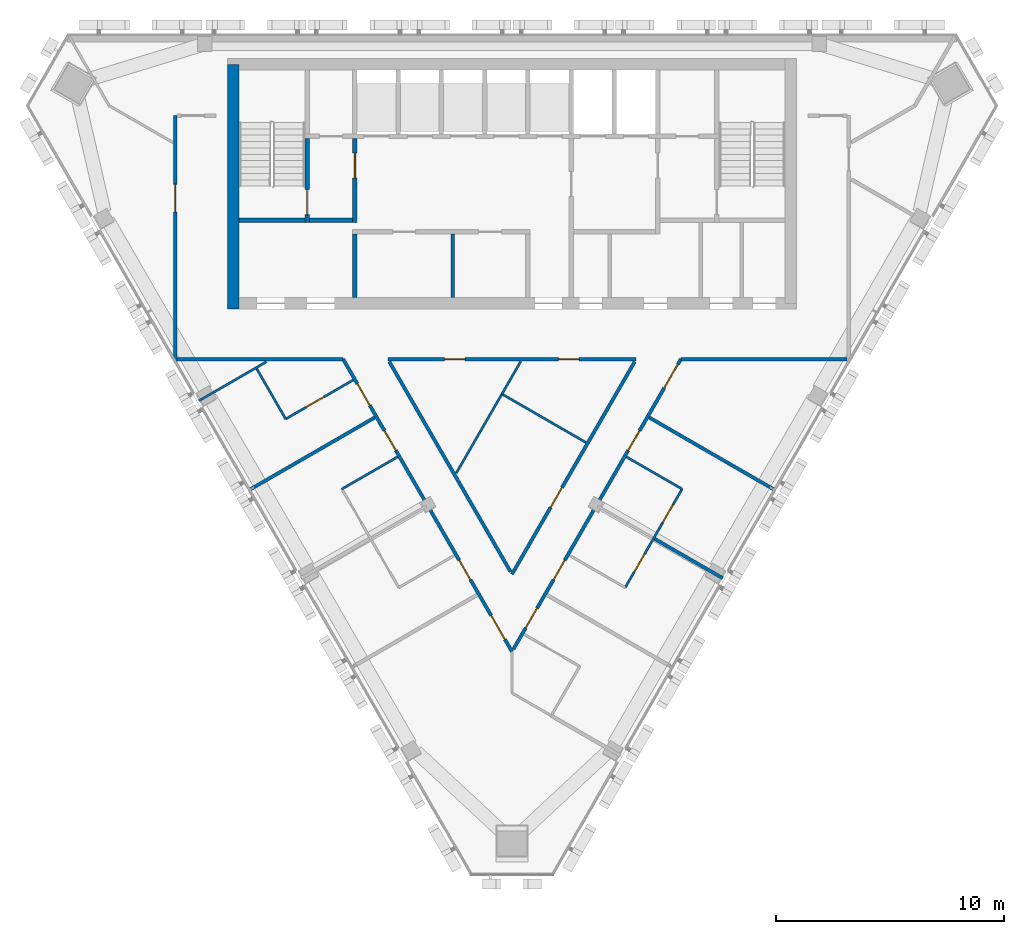
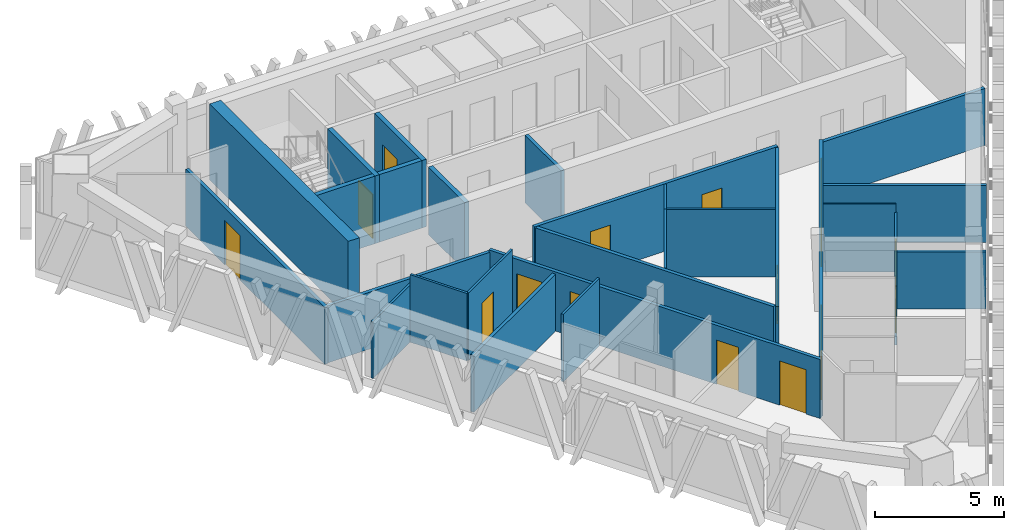
# One storey, part 6 of 12: 27 walls, 17 doors, 17 openings.
"""IFC4 building model written with IfcOpenShell, lengths in metres."""

from ifc_helpers import new_model, si_unit, direction, frame, frame_2d, origin, place, context, subcontext, project, spatial, rectangle, extrude, material, layer, layer_set, type_object, element, fill, save


model = new_model("IFC4")

# Units and contexts
model_context = context("Model", 3, precision=1e-05, world=origin(), true_north=direction((0.0, 1.0)))
body_context = subcontext(model_context, "Body", "Model", "MODEL_VIEW")
ifc_project = project(units=[si_unit("LENGTHUNIT", "METRE"), si_unit("AREAUNIT", "SQUARE_METRE"), si_unit("VOLUMEUNIT", "CUBIC_METRE"), si_unit("PLANEANGLEUNIT", "RADIAN"), si_unit("MASSUNIT", "GRAM", prefix="KILO")], contexts=[model_context])

# Site, building, storey
site_placement = place(None, origin())
site = spatial("IfcSite", under=ifc_project, at=site_placement, CompositionType="ELEMENT")
building_placement = place(site_placement, origin())
building = spatial("IfcBuilding", under=site, at=building_placement, Name="Altiplano Prism Tower", CompositionType="ELEMENT")
storey_placement = place(building_placement, frame((0.0, 0.0, 323.800048828125)))
storey = spatial("IfcBuildingStorey", under=building, at=storey_placement, Name="L84", CompositionType="ELEMENT", Elevation=323.800048828125)

# Wall
ifc_material_1 = material(Name="Concrete C60/75", Category="concrete")
ifc_layer_1 = layer(ifc_material_1, 0.5)
ifc_layer_set_1 = layer_set([ifc_layer_1], Name="Concrete C60/75")
wall_type_1 = type_object("IfcWallType", Name="Core wall 500", PredefinedType="SHEAR", material=ifc_layer_set_1)
wall_1_placement = place(storey_placement, frame((72.75, 103.64990234375, 0.0), z_axis=(0.0, 0.0, 1.0), x_axis=(0.0, -1.0, 0.0)))
element("IfcWall", 1, at=wall_1_placement, inside=storey, type_object=wall_type_1, Name="Core wall W L84", PredefinedType="SHEAR", context=body_context, shape_type="SweptSolid", body=[
    extrude(rectangle(XDim=10.75, YDim=0.5, at=frame_2d((5.375, 0.0))), origin(), (0.0, 0.0, 1.0), 3.599853515625),
])

# Wall, opening, door
ifc_material_2 = material(Name="Plasterboard on steel stud", Category="steel")
ifc_layer_2 = layer(ifc_material_2, 0.10009765625)
ifc_layer_set_2 = layer_set([ifc_layer_2], Name="Plasterboard on steel stud")
wall_type_2 = type_object("IfcWallType", Name="Partition 100 unit", PredefinedType="PARTITIONING", material=ifc_layer_set_2)
wall_2_placement = place(storey_placement, frame((78.0224609375, 89.7802734375, 0.0), z_axis=(0.0, 0.0, 1.0), x_axis=(-0.866050272892, -0.499956922968, 0.0)))
wall_2 = element("IfcWall", 2, at=wall_2_placement, inside=storey, type_object=wall_type_2, Name="Partition P02 L84 018", PredefinedType="PARTITIONING", context=body_context, shape_type="SweptSolid", body=[
    extrude(rectangle(XDim=3.425048828125, YDim=0.10009765625, at=frame_2d((1.71240234375, 0.0))), origin(), (0.0, 0.0, 1.0), 3.199951171875),
])
opening_1_placement = place(wall_2_placement, frame((1.486083984375, 0.0, 0.0)))
opening_1 = element("IfcOpeningElement", 3, at=opening_1_placement, cuts=wall_2, Name="Opening D2445", PredefinedType="OPENING", context=body_context, shape_type="SweptSolid", body=[
    extrude(rectangle(XDim=0.89990234375, YDim=2.10009765625, at=frame_2d((0.449951171875, 1.050048828125))), frame((0.0, 0.060546875, 0.0), z_axis=(0.0, -1.0, 0.0), x_axis=(1.0, 0.0, 0.0)), (0.0, 0.0, 1.0), 0.12109375),
])
ifc_material_3 = material(Name="Timber", Category="wood")
door_type_1 = type_object("IfcDoorType", Name="Accessible ensuite door 900 x 2100", OperationType="NOTDEFINED", PredefinedType="NOTDEFINED", material=ifc_material_3)
door_1_placement = place(opening_1_placement, origin())
door_1 = element("IfcDoor", 4, at=door_1_placement, inside=storey, type_object=door_type_1, Name="Door D2445", OperationType="SINGLE_SWING_RIGHT", OverallHeight=2.10009765625, OverallWidth=0.89990234375, PredefinedType="NOTDEFINED", context=body_context, shape_type="SweptSolid", body=[
    extrude(rectangle(XDim=0.89990234375, YDim=2.10009765625, at=frame_2d((0.449951171875, 1.050048828125))), frame((0.0, 0.02490234375, 0.0), z_axis=(0.0, -1.0, 0.0), x_axis=(1.0, 0.0, 0.0)), (0.0, 0.0, 1.0), 0.050048828125),
])
fill(opening_1, door_1)

# Walls
wall_3_placement = place(storey_placement, frame((75.05615234375, 88.06787109375, 0.0), z_axis=(0.0, 0.0, 1.0), x_axis=(-0.499990435942, 0.866030925526, 0.0)))
element("IfcWall", 5, at=wall_3_placement, inside=storey, type_object=wall_type_2, Name="Partition P02 L84 019", PredefinedType="PARTITIONING", context=body_context, shape_type="SweptSolid", body=[
    extrude(rectangle(XDim=2.5498046875, YDim=0.10009765625, at=frame_2d((1.27490234375, 0.0))), origin(), (0.0, 0.0, 1.0), 3.199951171875),
])
for number, where, z_axis, x_axis, name in (
    (6, (77.52587890625, 84.990234375, 0.0), (0.0, 0.0, 1.0), (0.866011447264, 0.500024172624, 0.0), "Partition P02 L84 022"),
    (7, (90.027587890625, 86.40283203125, 0.0), (0.0, 0.0, 1.0), (0.866011447264, -0.500024172624, 0.0), "Partition P02 L84 036"),
):
    element("IfcWall", number, at=place(storey_placement, frame(where, z_axis=z_axis, x_axis=x_axis)), inside=storey, type_object=wall_type_2, Name=name, PredefinedType="PARTITIONING", context=body_context, shape_type="SweptSolid", body=[
        extrude(rectangle(XDim=2.824951171875, YDim=0.10009765625, at=frame_2d((1.41259765625, 0.0))), origin(), (0.0, 0.0, 1.0), 3.199951171875),
    ])

# Wall, openings, doors
wall_4_placement = place(storey_placement, frame((92.47412109375, 84.990234375, 0.0), z_axis=(0.0, 0.0, 1.0), x_axis=(-0.500004234368, -0.866022959057, 0.0)))
wall_4 = element("IfcWall", 8, at=wall_4_placement, inside=storey, type_object=wall_type_2, Name="Partition P02 L84 037", PredefinedType="PARTITIONING", context=body_context, shape_type="SweptSolid", body=[
    extrude(rectangle(XDim=5.0, YDim=0.10009765625, at=frame_2d((2.5, 0.0))), origin(), (0.0, 0.0, 1.0), 2.800048828125),
])
opening_2_placement = place(wall_4_placement, frame((3.300048828125, 0.0, 0.0)))
opening_2 = element("IfcOpeningElement", 9, at=opening_2_placement, cuts=wall_4, Name="Opening D2454", PredefinedType="OPENING", context=body_context, shape_type="SweptSolid", body=[
    extrude(rectangle(XDim=0.89990234375, YDim=2.10009765625, at=frame_2d((0.449951171875, 1.050048828125))), frame((0.0, 0.060546875, 0.0), z_axis=(0.0, -1.0, 0.0), x_axis=(1.0, 0.0, 0.0)), (0.0, 0.0, 1.0), 0.12109375),
])
opening_3_placement = place(wall_4_placement, frame((0.800048828125, 0.0, 0.0)))
opening_3 = element("IfcOpeningElement", 10, at=opening_3_placement, cuts=wall_4, Name="Opening D2456", PredefinedType="OPENING", context=body_context, shape_type="SweptSolid", body=[
    extrude(rectangle(XDim=0.89990234375, YDim=2.10009765625, at=frame_2d((0.449951171875, 1.050048828125))), frame((0.0, 0.060546875, 0.0), z_axis=(0.0, -1.0, 0.0), x_axis=(1.0, 0.0, 0.0)), (0.0, 0.0, 1.0), 0.12109375),
])
door_type_2 = type_object("IfcDoorType", Name="Ensuite door 900 x 2100", OperationType="NOTDEFINED", PredefinedType="NOTDEFINED", material=ifc_material_3)
door_2_placement = place(opening_2_placement, origin())
door_2 = element("IfcDoor", 11, at=door_2_placement, inside=storey, type_object=door_type_2, Name="Door D2454", OperationType="SINGLE_SWING_RIGHT", OverallHeight=2.10009765625, OverallWidth=0.89990234375, PredefinedType="NOTDEFINED", context=body_context, shape_type="SweptSolid", body=[
    extrude(rectangle(XDim=0.89990234375, YDim=2.10009765625, at=frame_2d((0.449951171875, 1.050048828125))), frame((0.0, 0.02490234375, 0.0), z_axis=(0.0, -1.0, 0.0), x_axis=(1.0, 0.0, 0.0)), (0.0, 0.0, 1.0), 0.050048828125),
])
fill(opening_2, door_2)
door_3_placement = place(opening_3_placement, origin())
door_3 = element("IfcDoor", 12, at=door_3_placement, inside=storey, type_object=door_type_2, Name="Door D2456", OperationType="SINGLE_SWING_LEFT", OverallHeight=2.10009765625, OverallWidth=0.89990234375, PredefinedType="NOTDEFINED", context=body_context, shape_type="SweptSolid", body=[
    extrude(rectangle(XDim=0.89990234375, YDim=2.10009765625, at=frame_2d((0.449951171875, 1.050048828125))), frame((0.0, 0.02490234375, 0.0), z_axis=(0.0, -1.0, 0.0), x_axis=(1.0, 0.0, 0.0)), (0.0, 0.0, 1.0), 0.050048828125),
])
fill(opening_3, door_3)

# Walls
ifc_layer_3 = layer(ifc_material_2, 0.10009765625)
ifc_layer_set_3 = layer_set([ifc_layer_3], Name="Plasterboard on steel stud")
wall_type_3 = type_object("IfcWallType", Name="Partition 100 wet", PredefinedType="PARTITIONING", material=ifc_layer_set_3)
wall_5_placement = place(storey_placement, frame((85.385498046875, 90.59912109375, 0.0), z_axis=(0.0, 0.0, 1.0), x_axis=(-0.499932737185, -0.866064234506, 0.0)))
element("IfcWall", 13, at=wall_5_placement, inside=storey, type_object=wall_type_3, Name="Partition P03 L84 012", PredefinedType="PARTITIONING", context=body_context, shape_type="SweptSolid", body=[
    extrude(rectangle(XDim=1.675048828125, YDim=0.10009765625, at=frame_2d((0.83740234375, 0.0))), origin(), (0.0, 0.0, 1.0), 3.199951171875),
])
wall_6_placement = place(storey_placement, frame((84.55810546875, 89.165771484375, 0.0), z_axis=(0.0, 0.0, 1.0), x_axis=(0.866034099934, -0.499984937525, 0.0)))
element("IfcWall", 14, at=wall_6_placement, inside=storey, type_object=wall_type_3, Name="Partition P03 L84 013", PredefinedType="PARTITIONING", context=body_context, shape_type="SweptSolid", body=[
    extrude(rectangle(XDim=4.267333984375, YDim=0.10009765625, at=frame_2d((2.1337890625, 0.0))), origin(), (0.0, 0.0, 1.0), 3.199951171875),
])
wall_7_placement = place(storey_placement, frame((82.55078125, 85.68896484375, 0.0), z_axis=(0.0, 0.0, 1.0), x_axis=(0.499997939216, 0.866026593575, 0.0)))
element("IfcWall", 15, at=wall_7_placement, inside=storey, type_object=wall_type_3, Name="Partition P03 L84 014", PredefinedType="PARTITIONING", context=body_context, shape_type="SweptSolid", body=[
    extrude(rectangle(XDim=4.0146484375, YDim=0.10009765625, at=frame_2d((2.00732421875, 0.0))), origin(), (0.0, 0.0, 1.0), 3.199951171875),
])
wall_8_placement = place(storey_placement, frame((71.244873046875, 88.869384765625, 0.0), z_axis=(0.0, 0.0, 1.0), x_axis=(0.865996807358, 0.500049527193, 0.0)))
element("IfcWall", 16, at=wall_8_placement, inside=storey, type_object=wall_type_3, Name="Partition P03 L84 015", PredefinedType="PARTITIONING", context=body_context, shape_type="SweptSolid", body=[
    extrude(rectangle(XDim=3.424560546875, YDim=0.10009765625, at=frame_2d((1.71240234375, 0.0))), origin(), (0.0, 0.0, 1.0), 2.699951171875),
])
ifc_layer_4 = layer(ifc_material_2, 0.14990234375)
ifc_layer_set_4 = layer_set([ifc_layer_4], Name="Plasterboard on steel stud")
wall_type_4 = type_object("IfcWallType", Name="Partition 150 corridor", PredefinedType="PARTITIONING", material=ifc_layer_set_4)
wall_9_placement = place(storey_placement, frame((84.93505859375, 81.359130859375, 0.0), z_axis=(0.0, 0.0, 1.0), x_axis=(-0.500000800422, 0.86602494166, 0.0)))
element("IfcWall", 17, at=wall_9_placement, inside=storey, type_object=wall_type_4, Name="Partition P06 L84 001", PredefinedType="PARTITIONING", context=body_context, shape_type="SweptSolid", body=[
    extrude(rectangle(XDim=10.65478515625, YDim=0.14990234375, at=frame_2d((5.327392578125, 0.0))), origin(), (0.0, 0.0, 1.0), 3.199951171875),
])

# Wall, openings, doors
wall_10_placement = place(storey_placement, frame((79.542724609375, 90.698974609375, 0.0), z_axis=(0.0, 0.0, 1.0), x_axis=(1.0, 0.0, 0.0)))
wall_10 = element("IfcWall", 18, at=wall_10_placement, inside=storey, type_object=wall_type_4, Name="Partition P06 L84 002", PredefinedType="PARTITIONING", context=body_context, shape_type="SweptSolid", body=[
    extrude(rectangle(XDim=10.91455078125, YDim=0.14990234375, at=frame_2d((5.457275390625, 0.0))), origin(), (0.0, 0.0, 1.0), 3.199951171875),
])
opening_4_placement = place(wall_10_placement, frame((7.5048828125, 0.0, 0.0)))
opening_4 = element("IfcOpeningElement", 19, at=opening_4_placement, cuts=wall_10, Name="Opening D2440", PredefinedType="OPENING", context=body_context, shape_type="SweptSolid", body=[
    extrude(rectangle(XDim=0.89990234375, YDim=2.10009765625, at=frame_2d((0.449951171875, 1.050048828125))), frame((0.0, 0.08544921875, 0.0), z_axis=(0.0, -1.0, 0.0), x_axis=(1.0, 0.0, 0.0)), (0.0, 0.0, 1.0), 0.1708984375),
])
opening_5_placement = place(wall_10_placement, frame((2.5, 0.0, 0.0)))
opening_5 = element("IfcOpeningElement", 20, at=opening_5_placement, cuts=wall_10, Name="Opening D2441", PredefinedType="OPENING", context=body_context, shape_type="SweptSolid", body=[
    extrude(rectangle(XDim=0.89990234375, YDim=2.10009765625, at=frame_2d((0.449951171875, 1.050048828125))), frame((0.0, 0.08544921875, 0.0), z_axis=(0.0, -1.0, 0.0), x_axis=(1.0, 0.0, 0.0)), (0.0, 0.0, 1.0), 0.1708984375),
])
door_type_3 = type_object("IfcDoorType", Name="Toilet door 900 x 2100", OperationType="NOTDEFINED", PredefinedType="NOTDEFINED", material=ifc_material_3)
door_4_placement = place(opening_4_placement, origin())
door_4 = element("IfcDoor", 21, at=door_4_placement, inside=storey, type_object=door_type_3, Name="Door D2440", OperationType="SINGLE_SWING_LEFT", OverallHeight=2.10009765625, OverallWidth=0.89990234375, PredefinedType="NOTDEFINED", context=body_context, shape_type="SweptSolid", body=[
    extrude(rectangle(XDim=0.89990234375, YDim=2.10009765625, at=frame_2d((0.449951171875, 1.050048828125))), frame((0.0, 0.02490234375, 0.0), z_axis=(0.0, -1.0, 0.0), x_axis=(1.0, 0.0, 0.0)), (0.0, 0.0, 1.0), 0.050048828125),
])
fill(opening_4, door_4)
door_5_placement = place(opening_5_placement, origin())
door_5 = element("IfcDoor", 22, at=door_5_placement, inside=storey, type_object=door_type_3, Name="Door D2441", OperationType="SINGLE_SWING_LEFT", OverallHeight=2.10009765625, OverallWidth=0.89990234375, PredefinedType="NOTDEFINED", context=body_context, shape_type="SweptSolid", body=[
    extrude(rectangle(XDim=0.89990234375, YDim=2.10009765625, at=frame_2d((0.449951171875, 1.050048828125))), frame((0.0, 0.02490234375, 0.0), z_axis=(0.0, -1.0, 0.0), x_axis=(1.0, 0.0, 0.0)), (0.0, 0.0, 1.0), 0.050048828125),
])
fill(opening_5, door_5)

# Wall, opening, door
wall_11_placement = place(storey_placement, frame((90.392333984375, 90.58642578125, 0.0), z_axis=(0.0, 0.0, 1.0), x_axis=(-0.500007902696, -0.866020841112, 0.0)))
wall_11 = element("IfcWall", 23, at=wall_11_placement, inside=storey, type_object=wall_type_4, Name="Partition P06 L84 003", PredefinedType="PARTITIONING", context=body_context, shape_type="SweptSolid", body=[
    extrude(rectangle(XDim=10.784423828125, YDim=0.14990234375, at=frame_2d((5.39208984375, 0.0))), origin(), (0.0, 0.0, 1.0), 3.199951171875),
])
opening_6_placement = place(wall_11_placement, frame((6.387939453125, 0.0, 0.0)))
opening_6 = element("IfcOpeningElement", 24, at=opening_6_placement, cuts=wall_11, Name="Opening D2442", PredefinedType="OPENING", context=body_context, shape_type="SweptSolid", body=[
    extrude(rectangle(XDim=1.0, YDim=2.10009765625, at=frame_2d((0.5, 1.050048828125))), frame((0.0, 0.08544921875, 0.0), z_axis=(0.0, -1.0, 0.0), x_axis=(1.0, 0.0, 0.0)), (0.0, 0.0, 1.0), 0.1708984375),
])
door_type_4 = type_object("IfcDoorType", Name="Store door 1000 x 2100", OperationType="NOTDEFINED", PredefinedType="NOTDEFINED", material=ifc_material_3)
door_6_placement = place(opening_6_placement, origin())
door_6 = element("IfcDoor", 25, at=door_6_placement, inside=storey, type_object=door_type_4, Name="Door D2442", OperationType="SINGLE_SWING_RIGHT", OverallHeight=2.10009765625, OverallWidth=1.0, PredefinedType="NOTDEFINED", context=body_context, shape_type="SweptSolid", body=[
    extrude(rectangle(XDim=1.0, YDim=2.10009765625, at=frame_2d((0.5, 1.050048828125))), frame((0.0, 0.02490234375, 0.0), z_axis=(0.0, -1.0, 0.0), x_axis=(1.0, 0.0, 0.0)), (0.0, 0.0, 1.0), 0.050048828125),
])
fill(opening_6, door_6)

wall_12_placement = place(storey_placement, frame((70.199462890625, 101.40087890625, 0.0), z_axis=(0.0, 0.0, 1.0), x_axis=(4.5203869e-05, -0.999999998978, 0.0)))
wall_12 = element("IfcWall", 26, at=wall_12_placement, inside=storey, type_object=wall_type_4, Name="Partition P06 L84 004", PredefinedType="PARTITIONING", context=body_context, shape_type="SweptSolid", body=[
    extrude(rectangle(XDim=10.8017578125, YDim=0.14990234375, at=frame_2d((5.40087890625, 0.0))), origin(), (0.0, 0.0, 1.0), 2.699951171875),
])
opening_7_placement = place(wall_12_placement, frame((3.027099609375, 0.0, 0.0)))
opening_7 = element("IfcOpeningElement", 27, at=opening_7_placement, cuts=wall_12, Name="Opening D2443", PredefinedType="OPENING", context=body_context, shape_type="SweptSolid", body=[
    extrude(rectangle(XDim=1.199951171875, YDim=2.10009765625, at=frame_2d((0.60009765625, 1.050048828125))), frame((0.0, 0.08544921875, 0.0), z_axis=(0.0, -1.0, 0.0), x_axis=(1.0, 0.0, 0.0)), (0.0, 0.0, 1.0), 0.1708984375),
])
door_type_5 = type_object("IfcDoorType", Name="Shared room door 1200 x 2100", OperationType="NOTDEFINED", PredefinedType="NOTDEFINED", material=ifc_material_3)
door_7_placement = place(opening_7_placement, origin())
door_7 = element("IfcDoor", 28, at=door_7_placement, inside=storey, type_object=door_type_5, Name="Door D2443", OperationType="SINGLE_SWING_RIGHT", OverallHeight=2.10009765625, OverallWidth=1.199951171875, PredefinedType="NOTDEFINED", context=body_context, shape_type="SweptSolid", body=[
    extrude(rectangle(XDim=1.199951171875, YDim=2.10009765625, at=frame_2d((0.60009765625, 1.050048828125))), frame((0.0, 0.02490234375, 0.0), z_axis=(0.0, -1.0, 0.0), x_axis=(1.0, 0.0, 0.0)), (0.0, 0.0, 1.0), 0.050048828125),
])
fill(opening_7, door_7)

# Wall
wall_13_placement = place(storey_placement, frame((70.27490234375, 90.699951171875, 0.0), z_axis=(0.0, 0.0, 1.0), x_axis=(1.0, 0.0, 0.0)))
element("IfcWall", 29, at=wall_13_placement, inside=storey, type_object=wall_type_4, Name="Partition P06 L84 005", PredefinedType="PARTITIONING", context=body_context, shape_type="SweptSolid", body=[
    extrude(rectangle(XDim=7.302978515625, YDim=0.14990234375, at=frame_2d((3.6513671875, 0.0))), origin(), (0.0, 0.0, 1.0), 2.699951171875),
])

# Wall, openings, doors
wall_14_placement = place(storey_placement, frame((77.577880859375, 90.699951171875, 0.0), z_axis=(0.0, 0.0, 1.0), x_axis=(0.500007667311, -0.866020977015, 0.0)))
wall_14 = element("IfcWall", 30, at=wall_14_placement, inside=storey, type_object=wall_type_4, Name="Partition P06 L84 006", PredefinedType="PARTITIONING", context=body_context, shape_type="SweptSolid", body=[
    extrude(rectangle(XDim=14.843994140625, YDim=0.14990234375, at=frame_2d((7.421875, 0.0))), origin(), (0.0, 0.0, 1.0), 2.800048828125),
])
opening_8_placement = place(wall_14_placement, frame((1.248046875, 0.0, 0.0)))
opening_8 = element("IfcOpeningElement", 31, at=opening_8_placement, cuts=wall_14, Name="Opening D2444", PredefinedType="OPENING", context=body_context, shape_type="SweptSolid", body=[
    extrude(rectangle(XDim=1.10009765625, YDim=2.10009765625, at=frame_2d((0.550048828125, 1.050048828125))), frame((0.0, 0.08544921875, 0.0), z_axis=(0.0, -1.0, 0.0), x_axis=(1.0, 0.0, 0.0)), (0.0, 0.0, 1.0), 0.1708984375),
])
opening_9_placement = place(wall_14_placement, frame((3.638916015625, 0.0, 0.0)))
opening_9 = element("IfcOpeningElement", 32, at=opening_9_placement, cuts=wall_14, Name="Opening D2446", PredefinedType="OPENING", context=body_context, shape_type="SweptSolid", body=[
    extrude(rectangle(XDim=1.0, YDim=2.10009765625, at=frame_2d((0.5, 1.050048828125))), frame((0.0, 0.08544921875, 0.0), z_axis=(0.0, -1.0, 0.0), x_axis=(1.0, 0.0, 0.0)), (0.0, 0.0, 1.0), 0.1708984375),
])
opening_10_placement = place(wall_14_placement, frame((10.197998046875, 0.0, 0.0)))
opening_10 = element("IfcOpeningElement", 33, at=opening_10_placement, cuts=wall_14, Name="Opening D2448", PredefinedType="OPENING", context=body_context, shape_type="SweptSolid", body=[
    extrude(rectangle(XDim=1.0, YDim=2.10009765625, at=frame_2d((0.5, 1.050048828125))), frame((0.0, 0.08544921875, 0.0), z_axis=(0.0, -1.0, 0.0), x_axis=(1.0, 0.0, 0.0)), (0.0, 0.0, 1.0), 0.1708984375),
])
opening_11_placement = place(wall_14_placement, frame((13.01806640625, 0.0, 0.0)))
opening_11 = element("IfcOpeningElement", 34, at=opening_11_placement, cuts=wall_14, Name="Opening D2450", PredefinedType="OPENING", context=body_context, shape_type="SweptSolid", body=[
    extrude(rectangle(XDim=1.199951171875, YDim=2.10009765625, at=frame_2d((0.60009765625, 1.050048828125))), frame((0.0, 0.08544921875, 0.0), z_axis=(0.0, -1.0, 0.0), x_axis=(1.0, 0.0, 0.0)), (0.0, 0.0, 1.0), 0.1708984375),
])
door_type_6 = type_object("IfcDoorType", Name="Accessible bedroom door 1100 x 2100", OperationType="NOTDEFINED", PredefinedType="NOTDEFINED", material=ifc_material_3)
door_8_placement = place(opening_8_placement, origin())
door_8 = element("IfcDoor", 35, at=door_8_placement, inside=storey, type_object=door_type_6, Name="Door D2444", OperationType="SINGLE_SWING_LEFT", OverallHeight=2.10009765625, OverallWidth=1.10009765625, PredefinedType="NOTDEFINED", context=body_context, shape_type="SweptSolid", body=[
    extrude(rectangle(XDim=1.10009765625, YDim=2.10009765625, at=frame_2d((0.550048828125, 1.050048828125))), frame((0.0, 0.02490234375, 0.0), z_axis=(0.0, -1.0, 0.0), x_axis=(1.0, 0.0, 0.0)), (0.0, 0.0, 1.0), 0.050048828125),
])
fill(opening_8, door_8)
door_type_7 = type_object("IfcDoorType", Name="Bedroom entrance door 1000 x 2100", OperationType="NOTDEFINED", PredefinedType="NOTDEFINED", material=ifc_material_3)
door_9_placement = place(opening_9_placement, origin())
door_9 = element("IfcDoor", 36, at=door_9_placement, inside=storey, type_object=door_type_7, Name="Door D2446", OperationType="SINGLE_SWING_RIGHT", OverallHeight=2.10009765625, OverallWidth=1.0, PredefinedType="NOTDEFINED", context=body_context, shape_type="SweptSolid", body=[
    extrude(rectangle(XDim=1.0, YDim=2.10009765625, at=frame_2d((0.5, 1.050048828125))), frame((0.0, 0.02490234375, 0.0), z_axis=(0.0, -1.0, 0.0), x_axis=(1.0, 0.0, 0.0)), (0.0, 0.0, 1.0), 0.050048828125),
])
fill(opening_9, door_9)
door_10_placement = place(opening_10_placement, origin())
door_10 = element("IfcDoor", 37, at=door_10_placement, inside=storey, type_object=door_type_7, Name="Door D2448", OperationType="SINGLE_SWING_RIGHT", OverallHeight=2.10009765625, OverallWidth=1.0, PredefinedType="NOTDEFINED", context=body_context, shape_type="SweptSolid", body=[
    extrude(rectangle(XDim=1.0, YDim=2.10009765625, at=frame_2d((0.5, 1.050048828125))), frame((0.0, 0.02490234375, 0.0), z_axis=(0.0, -1.0, 0.0), x_axis=(1.0, 0.0, 0.0)), (0.0, 0.0, 1.0), 0.050048828125),
])
fill(opening_10, door_10)
door_11_placement = place(opening_11_placement, origin())
door_11 = element("IfcDoor", 38, at=door_11_placement, inside=storey, type_object=door_type_5, Name="Door D2450", OperationType="SINGLE_SWING_RIGHT", OverallHeight=2.10009765625, OverallWidth=1.199951171875, PredefinedType="NOTDEFINED", context=body_context, shape_type="SweptSolid", body=[
    extrude(rectangle(XDim=1.199951171875, YDim=2.10009765625, at=frame_2d((0.60009765625, 1.050048828125))), frame((0.0, 0.02490234375, 0.0), z_axis=(0.0, -1.0, 0.0), x_axis=(1.0, 0.0, 0.0)), (0.0, 0.0, 1.0), 0.050048828125),
])
fill(opening_11, door_11)

wall_15_placement = place(storey_placement, frame((85.06494140625, 77.957275390625, 0.0), z_axis=(0.0, 0.0, 1.0), x_axis=(0.5000097071, 0.866019799315, 0.0)))
wall_15 = element("IfcWall", 39, at=wall_15_placement, inside=storey, type_object=wall_type_4, Name="Partition P06 L84 007", PredefinedType="PARTITIONING", context=body_context, shape_type="SweptSolid", body=[
    extrude(rectangle(XDim=14.714111328125, YDim=0.14990234375, at=frame_2d((7.35693359375, 0.0))), origin(), (0.0, 0.0, 1.0), 2.800048828125),
])
opening_12_placement = place(wall_15_placement, frame((1.074951171875, 0.0, 0.0)))
opening_12 = element("IfcOpeningElement", 40, at=opening_12_placement, cuts=wall_15, Name="Opening D2451", PredefinedType="OPENING", context=body_context, shape_type="SweptSolid", body=[
    extrude(rectangle(XDim=1.0, YDim=2.10009765625, at=frame_2d((0.5, 1.050048828125))), frame((0.0, 0.08544921875, 0.0), z_axis=(0.0, -1.0, 0.0), x_axis=(1.0, 0.0, 0.0)), (0.0, 0.0, 1.0), 0.1708984375),
])
opening_13_placement = place(wall_15_placement, frame((3.51611328125, 0.0, 0.0)))
opening_13 = element("IfcOpeningElement", 41, at=opening_13_placement, cuts=wall_15, Name="Opening D2453", PredefinedType="OPENING", context=body_context, shape_type="SweptSolid", body=[
    extrude(rectangle(XDim=1.0, YDim=2.10009765625, at=frame_2d((0.5, 1.050048828125))), frame((0.0, 0.08544921875, 0.0), z_axis=(0.0, -1.0, 0.0), x_axis=(1.0, 0.0, 0.0)), (0.0, 0.0, 1.0), 0.1708984375),
])
opening_14_placement = place(wall_15_placement, frame((10.074951171875, 0.0, 0.0)))
opening_14 = element("IfcOpeningElement", 42, at=opening_14_placement, cuts=wall_15, Name="Opening D2455", PredefinedType="OPENING", context=body_context, shape_type="SweptSolid", body=[
    extrude(rectangle(XDim=1.0, YDim=2.10009765625, at=frame_2d((0.5, 1.050048828125))), frame((0.0, 0.08544921875, 0.0), z_axis=(0.0, -1.0, 0.0), x_axis=(1.0, 0.0, 0.0)), (0.0, 0.0, 1.0), 0.1708984375),
])
opening_15_placement = place(wall_15_placement, frame((13.25, 0.0, 0.0)))
opening_15 = element("IfcOpeningElement", 43, at=opening_15_placement, cuts=wall_15, Name="Opening D2457", PredefinedType="OPENING", context=body_context, shape_type="SweptSolid", body=[
    extrude(rectangle(XDim=1.199951171875, YDim=2.10009765625, at=frame_2d((0.60009765625, 1.050048828125))), frame((0.0, 0.08544921875, 0.0), z_axis=(0.0, -1.0, 0.0), x_axis=(1.0, 0.0, 0.0)), (0.0, 0.0, 1.0), 0.1708984375),
])
door_12_placement = place(opening_12_placement, origin())
door_12 = element("IfcDoor", 44, at=door_12_placement, inside=storey, type_object=door_type_7, Name="Door D2451", OperationType="SINGLE_SWING_RIGHT", OverallHeight=2.10009765625, OverallWidth=1.0, PredefinedType="NOTDEFINED", context=body_context, shape_type="SweptSolid", body=[
    extrude(rectangle(XDim=1.0, YDim=2.10009765625, at=frame_2d((0.5, 1.050048828125))), frame((0.0, 0.02490234375, 0.0), z_axis=(0.0, -1.0, 0.0), x_axis=(1.0, 0.0, 0.0)), (0.0, 0.0, 1.0), 0.050048828125),
])
fill(opening_12, door_12)
door_13_placement = place(opening_13_placement, origin())
door_13 = element("IfcDoor", 45, at=door_13_placement, inside=storey, type_object=door_type_7, Name="Door D2453", OperationType="SINGLE_SWING_RIGHT", OverallHeight=2.10009765625, OverallWidth=1.0, PredefinedType="NOTDEFINED", context=body_context, shape_type="SweptSolid", body=[
    extrude(rectangle(XDim=1.0, YDim=2.10009765625, at=frame_2d((0.5, 1.050048828125))), frame((0.0, 0.02490234375, 0.0), z_axis=(0.0, -1.0, 0.0), x_axis=(1.0, 0.0, 0.0)), (0.0, 0.0, 1.0), 0.050048828125),
])
fill(opening_13, door_13)
door_14_placement = place(opening_14_placement, origin())
door_14 = element("IfcDoor", 46, at=door_14_placement, inside=storey, type_object=door_type_7, Name="Door D2455", OperationType="SINGLE_SWING_RIGHT", OverallHeight=2.10009765625, OverallWidth=1.0, PredefinedType="NOTDEFINED", context=body_context, shape_type="SweptSolid", body=[
    extrude(rectangle(XDim=1.0, YDim=2.10009765625, at=frame_2d((0.5, 1.050048828125))), frame((0.0, 0.02490234375, 0.0), z_axis=(0.0, -1.0, 0.0), x_axis=(1.0, 0.0, 0.0)), (0.0, 0.0, 1.0), 0.050048828125),
])
fill(opening_14, door_14)
door_15_placement = place(opening_15_placement, origin())
door_15 = element("IfcDoor", 47, at=door_15_placement, inside=storey, type_object=door_type_5, Name="Door D2457", OperationType="SINGLE_SWING_RIGHT", OverallHeight=2.10009765625, OverallWidth=1.199951171875, PredefinedType="NOTDEFINED", context=body_context, shape_type="SweptSolid", body=[
    extrude(rectangle(XDim=1.199951171875, YDim=2.10009765625, at=frame_2d((0.60009765625, 1.050048828125))), frame((0.0, 0.02490234375, 0.0), z_axis=(0.0, -1.0, 0.0), x_axis=(1.0, 0.0, 0.0)), (0.0, 0.0, 1.0), 0.050048828125),
])
fill(opening_15, door_15)

# Walls
wall_16_placement = place(storey_placement, frame((92.422119140625, 90.699951171875, 0.0), z_axis=(0.0, 0.0, 1.0), x_axis=(1.0, 0.0, 0.0)))
element("IfcWall", 48, at=wall_16_placement, inside=storey, type_object=wall_type_4, Name="Partition P06 L84 008", PredefinedType="PARTITIONING", context=body_context, shape_type="SweptSolid", body=[
    extrude(rectangle(XDim=7.302978515625, YDim=0.14990234375, at=frame_2d((3.6513671875, 0.0))), origin(), (0.0, 0.0, 1.0), 2.699951171875),
])
ifc_layer_5 = layer(ifc_material_2, 0.14990234375)
ifc_layer_set_5 = layer_set([ifc_layer_5], Name="Plasterboard on steel stud")
wall_type_5 = type_object("IfcWallType", Name="Partition 150 party", PredefinedType="PARTITIONING", material=ifc_layer_set_5)
wall_17_placement = place(storey_placement, frame((73.477294921875, 84.962158203125, 0.0), z_axis=(0.0, 0.0, 1.0), x_axis=(0.866025401434, 0.500000004071, 0.0)))
element("IfcWall", 49, at=wall_17_placement, inside=storey, type_object=wall_type_5, Name="Partition P01 L84 020", PredefinedType="PARTITIONING", context=body_context, shape_type="SweptSolid", body=[
    extrude(rectangle(XDim=6.34521484375, YDim=0.14990234375, at=frame_2d((3.172607421875, 0.0))), origin(), (0.0, 0.0, 1.0), 2.699951171875),
])
wall_18_placement = place(storey_placement, frame((94.255126953125, 81.0751953125, 0.0), z_axis=(0.0, 0.0, 1.0), x_axis=(-0.866013532718, 0.500020560727, 0.0)))
element("IfcWall", 50, at=wall_18_placement, inside=storey, type_object=wall_type_5, Name="Partition P01 L84 034", PredefinedType="PARTITIONING", context=body_context, shape_type="SweptSolid", body=[
    extrude(rectangle(XDim=3.449951171875, YDim=0.14990234375, at=frame_2d((1.72509765625, 0.0))), origin(), (0.0, 0.0, 1.0), 2.699951171875),
])
wall_19_placement = place(storey_placement, frame((96.522705078125, 84.962158203125, 0.0), z_axis=(0.0, 0.0, 1.0), x_axis=(-0.866025401434, 0.500000004071, 0.0)))
element("IfcWall", 51, at=wall_19_placement, inside=storey, type_object=wall_type_5, Name="Partition P01 L84 038", PredefinedType="PARTITIONING", context=body_context, shape_type="SweptSolid", body=[
    extrude(rectangle(XDim=6.34521484375, YDim=0.14990234375, at=frame_2d((3.172607421875, 0.0))), origin(), (0.0, 0.0, 1.0), 2.699951171875),
])
ifc_material_4 = material(Name="Fire-rated gypsum board partition")
ifc_layer_6 = layer(ifc_material_4, 0.14990234375)
ifc_layer_set_6 = layer_set([ifc_layer_6], Name="Fire-rated gypsum board partition")
wall_type_6 = type_object("IfcWallType", Name="Room partition 150", PredefinedType="PARTITIONING", material=ifc_layer_set_6)
wall_20_placement = place(storey_placement, frame((82.39990234375, 93.39990234375, 0.0), z_axis=(0.0, 0.0, 1.0), x_axis=(0.0, 1.0, 0.0)))
element("IfcWall", 52, at=wall_20_placement, inside=storey, type_object=wall_type_6, Name="Room partition L84", PredefinedType="PARTITIONING", context=body_context, shape_type="SweptSolid", body=[
    extrude(rectangle(XDim=2.800048828125, YDim=0.14990234375, at=frame_2d((1.39990234375, 0.0))), origin(), (0.0, 0.0, 1.0), 3.199951171875),
])
ifc_layer_7 = layer(ifc_material_1, 0.199951171875)
ifc_layer_set_7 = layer_set([ifc_layer_7], Name="Concrete C60/75")
wall_type_7 = type_object("IfcWallType", Name="Stair wall 200", PredefinedType="SOLIDWALL", material=ifc_layer_set_7)
wall_21_placement = place(storey_placement, frame((73.0, 96.800048828125, 0.0), z_axis=(0.0, 0.0, 1.0), x_axis=(1.0, 0.0, 0.0)))
element("IfcWall", 53, at=wall_21_placement, inside=storey, type_object=wall_type_7, Name="Stair wall L84", PredefinedType="SOLIDWALL", context=body_context, shape_type="SweptSolid", body=[
    extrude(rectangle(XDim=2.89990234375, YDim=0.199951171875, at=frame_2d((1.449951171875, 0.0))), origin(), (0.0, 0.0, 1.0), 3.199951171875),
])

# Wall, opening, door
wall_22_placement = place(storey_placement, frame((76.0, 96.699951171875, 0.0), z_axis=(0.0, 0.0, 1.0), x_axis=(0.0, 1.0, 0.0)))
wall_22 = element("IfcWall", 54, at=wall_22_placement, inside=storey, type_object=wall_type_7, Name="Stair wall L84", PredefinedType="SOLIDWALL", context=body_context, shape_type="SweptSolid", body=[
    extrude(rectangle(XDim=3.699951171875, YDim=0.199951171875, at=frame_2d((1.85009765625, 0.0))), origin(), (0.0, 0.0, 1.0), 3.199951171875),
])
opening_16_placement = place(wall_22_placement, frame((0.35009765625, 0.0, 0.0)))
opening_16 = element("IfcOpeningElement", 55, at=opening_16_placement, cuts=wall_22, Name="Opening D3768", PredefinedType="OPENING", context=body_context, shape_type="SweptSolid", body=[
    extrude(rectangle(XDim=1.10009765625, YDim=2.10009765625, at=frame_2d((0.550048828125, 1.050048828125))), frame((0.0, 0.1103515625, 0.0), z_axis=(0.0, -1.0, 0.0), x_axis=(1.0, 0.0, 0.0)), (0.0, 0.0, 1.0), 0.220947265625),
])
ifc_material_5 = material(Name="Fire-rated steel door", Category="steel")
door_type_8 = type_object("IfcDoorType", Name="Stair fire door 1100 x 2100", OperationType="NOTDEFINED", PredefinedType="NOTDEFINED", material=ifc_material_5)
door_16_placement = place(opening_16_placement, origin())
door_16 = element("IfcDoor", 56, at=door_16_placement, inside=storey, type_object=door_type_8, Name="Stair fire door D3768", OperationType="SINGLE_SWING_RIGHT", OverallHeight=2.10009765625, OverallWidth=1.10009765625, PredefinedType="NOTDEFINED", context=body_context, shape_type="SweptSolid", body=[
    extrude(rectangle(XDim=1.10009765625, YDim=2.10009765625, at=frame_2d((0.550048828125, 1.050048828125))), frame((0.0, 0.02490234375, 0.0), z_axis=(0.0, -1.0, 0.0), x_axis=(1.0, 0.0, 0.0)), (0.0, 0.0, 1.0), 0.050048828125),
])
fill(opening_16, door_16)

# Walls
ifc_layer_8 = layer(ifc_material_1, 0.199951171875)
ifc_layer_set_8 = layer_set([ifc_layer_8], Name="Concrete C60/75")
wall_type_8 = type_object("IfcWallType", Name="Vestibule wall 200", PredefinedType="PARTITIONING", material=ifc_layer_set_8)
wall_23_placement = place(storey_placement, frame((78.10009765625, 93.39990234375, 0.0), z_axis=(0.0, 0.0, 1.0), x_axis=(0.0, 1.0, 0.0)))
element("IfcWall", 57, at=wall_23_placement, inside=storey, type_object=wall_type_8, Name="Vestibule wall L84", PredefinedType="PARTITIONING", context=body_context, shape_type="SweptSolid", body=[
    extrude(rectangle(XDim=2.800048828125, YDim=0.199951171875, at=frame_2d((1.39990234375, 0.0))), origin(), (0.0, 0.0, 1.0), 3.199951171875),
])
wall_24_placement = place(storey_placement, frame((76.10009765625, 96.800048828125, 0.0), z_axis=(0.0, 0.0, 1.0), x_axis=(1.0, 0.0, 0.0)))
element("IfcWall", 58, at=wall_24_placement, inside=storey, type_object=wall_type_8, Name="Vestibule wall L84", PredefinedType="PARTITIONING", context=body_context, shape_type="SweptSolid", body=[
    extrude(rectangle(XDim=1.89990234375, YDim=0.199951171875, at=frame_2d((0.949951171875, 0.0))), origin(), (0.0, 0.0, 1.0), 3.199951171875),
])

# Wall, opening, door
wall_25_placement = place(storey_placement, frame((78.10009765625, 96.699951171875, 0.0), z_axis=(0.0, 0.0, 1.0), x_axis=(0.0, 1.0, 0.0)))
wall_25 = element("IfcWall", 59, at=wall_25_placement, inside=storey, type_object=wall_type_8, Name="Vestibule wall L84", PredefinedType="PARTITIONING", context=body_context, shape_type="SweptSolid", body=[
    extrude(rectangle(XDim=3.699951171875, YDim=0.199951171875, at=frame_2d((1.85009765625, 0.0))), origin(), (0.0, 0.0, 1.0), 3.199951171875),
])
opening_17_placement = place(wall_25_placement, frame((1.949951171875, 0.0, 0.0)))
opening_17 = element("IfcOpeningElement", 60, at=opening_17_placement, cuts=wall_25, Name="Opening D3770", PredefinedType="OPENING", context=body_context, shape_type="SweptSolid", body=[
    extrude(rectangle(XDim=1.10009765625, YDim=2.10009765625, at=frame_2d((0.550048828125, 1.050048828125))), frame((0.0, 0.1103515625, 0.0), z_axis=(0.0, -1.0, 0.0), x_axis=(1.0, 0.0, 0.0)), (0.0, 0.0, 1.0), 0.220947265625),
])
door_type_9 = type_object("IfcDoorType", Name="Vestibule fire door 1100 x 2100", OperationType="NOTDEFINED", PredefinedType="NOTDEFINED", material=ifc_material_5)
door_17_placement = place(opening_17_placement, origin())
door_17 = element("IfcDoor", 61, at=door_17_placement, inside=storey, type_object=door_type_9, Name="Vestibule fire door D3770", OperationType="SINGLE_SWING_LEFT", OverallHeight=2.10009765625, OverallWidth=1.10009765625, PredefinedType="NOTDEFINED", context=body_context, shape_type="SweptSolid", body=[
    extrude(rectangle(XDim=1.10009765625, YDim=2.10009765625, at=frame_2d((0.550048828125, 1.050048828125))), frame((0.0, 0.02490234375, 0.0), z_axis=(0.0, -1.0, 0.0), x_axis=(1.0, 0.0, 0.0)), (0.0, 0.0, 1.0), 0.050048828125),
])
fill(opening_17, door_17)

save(model, "model.ifc")
